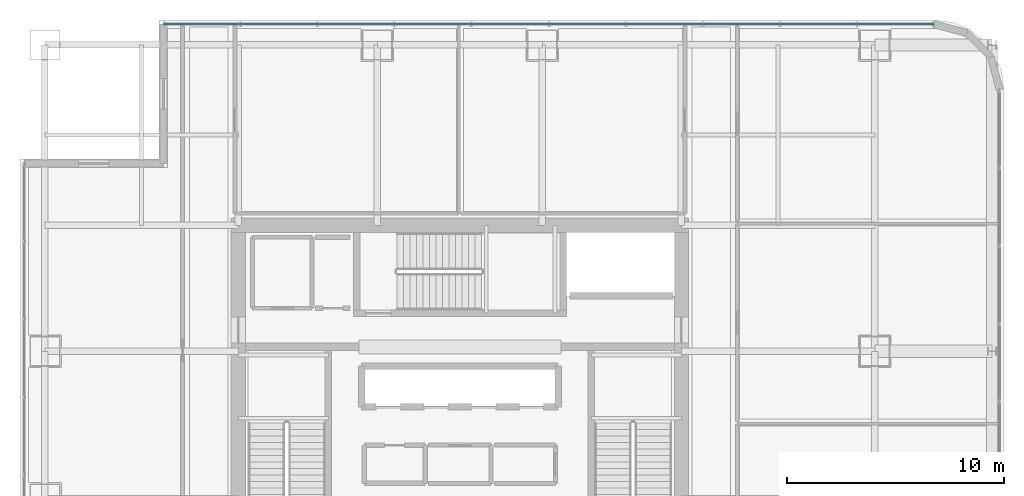
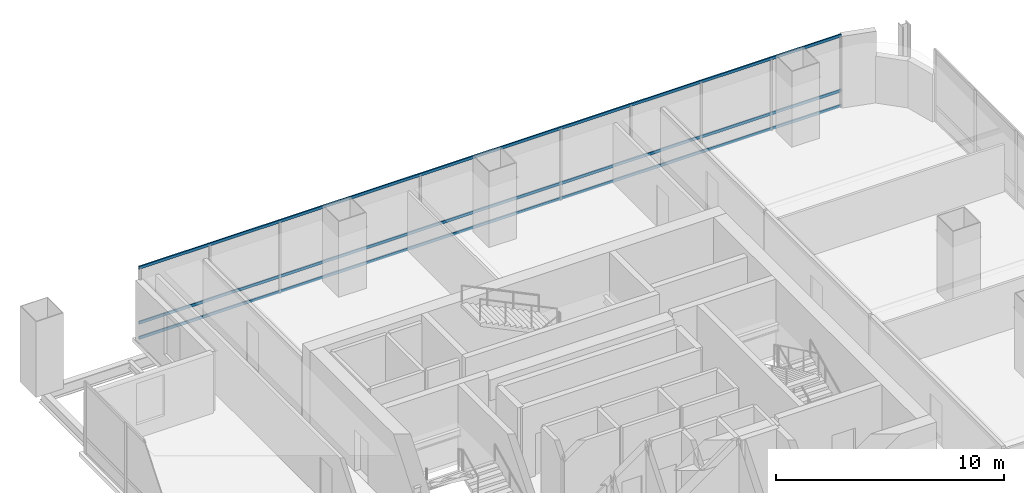
# One storey, part 24 of 36: 3 members, 1 element without a shape of its own.
"""IFC4 building model written with IfcOpenShell, lengths in metres."""

import ifcopenshell
import ifcopenshell.guid

model = None  # the IFC model being written
_history = None  # IfcOwnerHistory: only IFC2X3 demands one
_inside = {}  # id of a spatial element -> (the spatial element, [elements in it])
_under = {}  # id of a project, library or spatial element -> (it, [spatial elements below it])
_declared = {}  # id of a project -> (the project, [libraries it declares])
_typed = {}  # id of a type object -> (the type object, [elements of that type])
_made_of = {}  # id of a material, layer set ... -> (it, [elements and type objects made of it])


def new_model(schema):
    """Start an empty IFC model of exactly this schema.

    Asked for "IFC4X3", IfcOpenShell would pick the latest addendum, in which some entities
    have other attributes; the version numbers below select the first issue.
    IFC2X3 requires an IfcOwnerHistory on every rooted entity: one is made here for all.
    """
    global model, _history
    if schema == "IFC4X3":
        model = ifcopenshell.file(schema_version=(4, 3, 0, 0))
    else:
        model = ifcopenshell.file(schema=schema)
    _inside.clear()
    _under.clear()
    _declared.clear()
    _typed.clear()
    _made_of.clear()
    _history = None
    if model.schema == "IFC2X3":
        org = make("IfcOrganization", Name="unknown")
        user = make(
            "IfcPersonAndOrganization",
            ThePerson=make("IfcPerson", FamilyName="unknown"),
            TheOrganization=org,
        )
        app = make(
            "IfcApplication",
            ApplicationDeveloper=org,
            Version="unknown",
            ApplicationFullName="unknown",
            ApplicationIdentifier="unknown",
        )
        _history = make(
            "IfcOwnerHistory",
            OwningUser=user,
            OwningApplication=app,
            ChangeAction="ADDED",
            CreationDate=0,
        )
    return model


def make(cls, **values):
    """One entity of the class cls with the attributes given. An attribute that is None is left unset."""
    return model.create_entity(
        cls, **{name: value for name, value in values.items() if value is not None}
    )


def rooted(cls, **values):
    """An entity with a GlobalId (a new one), such as an element, a storey or a relation."""
    return make(cls, GlobalId=ifcopenshell.guid.new(), OwnerHistory=_history, **values)


def si_unit(unit_type, name, prefix=None):
    """IfcSIUnit, for example si_unit("LENGTHUNIT", "METRE", prefix="MILLI")."""
    return make("IfcSIUnit", UnitType=unit_type, Prefix=prefix, Name=name)


def assignment(units):
    """IfcUnitAssignment: the units of a project."""
    return None if units is None else make("IfcUnitAssignment", Units=units)


def point(xyz):
    """IfcCartesianPoint."""
    return None if xyz is None else make("IfcCartesianPoint", Coordinates=xyz)


def direction(xyz):
    """IfcDirection."""
    return None if xyz is None else make("IfcDirection", DirectionRatios=xyz)


def frame(location, z_axis=None, x_axis=None):
    """IfcAxis2Placement3D, a coordinate frame: its origin and axes. An axis left out is left unset."""
    return make(
        "IfcAxis2Placement3D",
        Location=point(location),
        Axis=direction(z_axis),
        RefDirection=direction(x_axis),
    )


def frame_2d(location, x_axis=None):
    """IfcAxis2Placement2D, a coordinate frame in the plane: its origin and x axis."""
    return make(
        "IfcAxis2Placement2D", Location=point(location), RefDirection=direction(x_axis)
    )


def origin():
    """The frame at (0, 0, 0) with its axes left unset."""
    return frame((0.0, 0.0, 0.0))


def origin_2d():
    """The frame at (0, 0) in the plane with its x axis left unset."""
    return frame_2d((0.0, 0.0))


def place(relative_to, where):
    """IfcLocalPlacement: puts the frame where relative to a parent placement (None: the world)."""
    return make(
        "IfcLocalPlacement", PlacementRelTo=relative_to, RelativePlacement=where
    )


def context(
    kind, dimensions, precision=None, world=None, true_north=None, identifier=None
):
    """IfcGeometricRepresentationContext, for example the 3D "Model" context."""
    return make(
        "IfcGeometricRepresentationContext",
        ContextIdentifier=identifier,
        ContextType=kind,
        CoordinateSpaceDimension=dimensions,
        Precision=precision,
        WorldCoordinateSystem=world,
        TrueNorth=true_north,
    )


def subcontext(parent, identifier, kind, view, scale=None):
    """IfcGeometricRepresentationSubContext, for example "Body" below "Model"."""
    return make(
        "IfcGeometricRepresentationSubContext",
        ContextIdentifier=identifier,
        ContextType=kind,
        ParentContext=parent,
        TargetScale=scale,
        TargetView=view,
    )


def project(units=None, contexts=None):
    """IfcProject with its units and contexts."""
    return rooted(
        "IfcProject",
        Name="project",
        RepresentationContexts=contexts,
        UnitsInContext=assignment(units),
    )


def spatial(cls, under=None, at=None, **own):
    """A site, building, storey or space (cls), placed at a placement, below another one or the project."""
    s = rooted(cls, ObjectPlacement=at, **own)
    if under is not None:
        _under.setdefault(under.id(), (under, []))[1].append(s)
    return s


def profile(cls, at=None, kind="AREA", **sizes):
    """A parametric profile (cls). Its sizes go by their IFC names, for example OverallWidth=200.0."""
    return make(cls, ProfileType=kind, Position=at, **sizes)


def hollow_rectangle(**sizes):
    """IfcRectangleHollowProfileDef."""
    return profile("IfcRectangleHollowProfileDef", **sizes)


def extrude(swept, where, along, depth):
    """IfcExtrudedAreaSolid: the profile swept, set in the frame where, extruded along a direction by depth."""
    return make(
        "IfcExtrudedAreaSolid",
        SweptArea=swept,
        Position=where,
        ExtrudedDirection=direction(along),
        Depth=depth,
    )


def shape(context_of_items, identifier, shape_type, items):
    """IfcShapeRepresentation: the items that make up one representation, for example the "Body"."""
    return make(
        "IfcShapeRepresentation",
        ContextOfItems=context_of_items,
        RepresentationIdentifier=identifier,
        RepresentationType=shape_type,
        Items=items,
    )


def material(Name=None, Category=None):
    """IfcMaterial."""
    return make("IfcMaterial", Name=Name, Category=Category)


def material_profile(
    of_material, cross_section, Name=None, Category=None, Priority=None
):
    """IfcMaterialProfile: a cross section and its material."""
    return make(
        "IfcMaterialProfile",
        Name=Name,
        Material=of_material,
        Profile=cross_section,
        Priority=Priority,
        Category=Category,
    )


def profile_set(profiles, Name=None, composite=None):
    """IfcMaterialProfileSet."""
    return make(
        "IfcMaterialProfileSet",
        Name=Name,
        MaterialProfiles=profiles,
        CompositeProfile=composite,
    )


def made_of(thing, what):
    """Note that an element or type object is made of a material, layer set ...; save() writes the relation."""
    if what is not None:
        _made_of.setdefault(what.id(), (what, []))[1].append(thing)
    return thing


def type_object(cls, material=None, **own):
    """A type object (cls), such as IfcWallType, which elements share."""
    return made_of(rooted(cls, **own), material)


def element(
    cls,
    number,
    at=None,
    inside=None,
    cuts=None,
    type_object=None,
    material=None,
    context=None,
    identifier="Body",
    shape_type=None,
    held_by="IfcProductDefinitionShape",
    body=None,
    shapes=None,
    **own,
):
    """One element of the class cls, such as IfcWall. Its Tag is "e" and its number.

    at: its placement. inside: the storey or other place that contains it. cuts: it is an
    opening in that element (IfcRelVoidsElement). A single representation is given by context,
    identifier, shape_type and body (its items); several are given by shapes. held_by: the class
    of the entity that holds the representations. save() writes the other relations.
    """
    e = rooted(cls, Tag="e%d" % number, ObjectPlacement=at, **own)
    if body is not None:
        shapes = [shape(context, identifier, shape_type, body)]
    if shapes is not None:
        e.Representation = make(held_by, Representations=shapes)
    if inside is not None:
        _inside.setdefault(inside.id(), (inside, []))[1].append(e)
    if cuts is not None:
        rooted(
            "IfcRelVoidsElement", RelatingBuildingElement=cuts, RelatedOpeningElement=e
        )
    if type_object is not None:
        _typed.setdefault(type_object.id(), (type_object, []))[1].append(e)
    return made_of(e, material)


def aggregate(whole, parts):
    """IfcRelAggregates: a whole, such as a stair, and the parts it consists of."""
    return rooted("IfcRelAggregates", RelatingObject=whole, RelatedObjects=parts)


def save(model, path):
    """Write the relations noted so far, then the file.

    IfcRelAggregates (storeys below a building ...), IfcRelContainedInSpatialStructure (elements
    in a storey), IfcRelDefinesByType, IfcRelAssociatesMaterial and IfcRelDeclares: one each for
    every whole, place, type object, material and project.
    """
    for whole, parts in _under.values():
        aggregate(whole, parts)
    for where, things in _inside.values():
        rooted(
            "IfcRelContainedInSpatialStructure",
            RelatedElements=things,
            RelatingStructure=where,
        )
    for kind, things in _typed.values():
        rooted("IfcRelDefinesByType", RelatedObjects=things, RelatingType=kind)
    for what, things in _made_of.values():
        rooted("IfcRelAssociatesMaterial", RelatedObjects=things, RelatingMaterial=what)
    for by, libraries in _declared.values():
        rooted("IfcRelDeclares", RelatingContext=by, RelatedDefinitions=libraries)
    model.write(path)


model = new_model("IFC4")

# Units and contexts
model_context = context("Model", 3, precision=1e-05, world=origin(), true_north=direction((0.0, 1.0)))
body_context = subcontext(model_context, "Body", "Model", "MODEL_VIEW")
ifc_project = project(units=[si_unit("LENGTHUNIT", "METRE"), si_unit("AREAUNIT", "SQUARE_METRE"), si_unit("VOLUMEUNIT", "CUBIC_METRE"), si_unit("PLANEANGLEUNIT", "RADIAN"), si_unit("MASSUNIT", "GRAM", prefix="KILO")], contexts=[model_context])

# Site, building, storey
site_placement = place(None, origin())
site = spatial("IfcSite", under=ifc_project, at=site_placement, CompositionType="ELEMENT")
building_placement = place(site_placement, origin())
building = spatial("IfcBuilding", under=site, at=building_placement, Name="Punatoya Terracotta Tower", CompositionType="ELEMENT")
storey_placement = place(building_placement, frame((0.0, 0.0, 228.89990234375)))
storey = spatial("IfcBuildingStorey", under=building, at=storey_placement, Name="L54", CompositionType="ELEMENT", Elevation=228.89990234375)

# Curtain wall, members
ifc_material_1 = material(Name="Aluminium 6063-T6 + Double Low-E Glass", Category="aluminium")
curtain_wall_type = type_object("IfcCurtainWallType", Name="CW-M2", PredefinedType="NOTDEFINED", material=ifc_material_1)
curtain_wall_placement = place(storey_placement, origin())
curtain_wall = element("IfcCurtainWall", 1, at=curtain_wall_placement, inside=storey, type_object=curtain_wall_type, Name="L54 Curtain Wall CW-L54-N08-1", PredefinedType="NOTDEFINED")
ifc_material_2 = material(Name="Aluminium 6063-T6", Category="aluminium")
ifc_material_profile = material_profile(ifc_material_2, hollow_rectangle(XDim=0.068115234375, YDim=0.14990234375, WallThickness=0.00390625, at=origin_2d()))
ifc_profile_set = profile_set([ifc_material_profile], Name="Aluminium 6063-T6")
member_type = type_object("IfcMemberType", Name="CW-TRN-TYP", PredefinedType="USERDEFINED", material=ifc_profile_set)
member_1_placement = place(storey_placement, frame((21.8369140625, 18.449951171875, 0.0400390625), z_axis=(-1.0, 0.0, 0.0), x_axis=(0.0, -1.0, 0.0)))
member_1 = element("IfcMember", 2, at=member_1_placement, type_object=member_type, Name="CW-L54-N08-1 Transom 1", ObjectType="TRANSOM", PredefinedType="USERDEFINED", context=body_context, shape_type="SweptSolid", body=[
    extrude(hollow_rectangle(XDim=0.068115234375, YDim=0.14990234375, WallThickness=0.00390625, at=origin_2d()), origin(), (0.0, 0.0, 1.0), 35.48681640625),
])
member_2_placement = place(storey_placement, frame((21.8369140625, 18.449951171875, 0.85009765625), z_axis=(-1.0, 0.0, 0.0), x_axis=(0.0, -1.0, 0.0)))
member_2 = element("IfcMember", 3, at=member_2_placement, type_object=member_type, Name="CW-L54-N08-1 Transom 2", ObjectType="TRANSOM", PredefinedType="USERDEFINED", context=body_context, shape_type="SweptSolid", body=[
    extrude(hollow_rectangle(XDim=0.068115234375, YDim=0.14990234375, WallThickness=0.00390625, at=origin_2d()), origin(), (0.0, 0.0, 1.0), 35.48681640625),
])
member_3_placement = place(storey_placement, frame((21.8369140625, 18.449951171875, 3.7900390625), z_axis=(-1.0, 0.0, 0.0), x_axis=(0.0, -1.0, 0.0)))
member_3 = element("IfcMember", 4, at=member_3_placement, type_object=member_type, Name="CW-L54-N08-1 Transom 3", ObjectType="TRANSOM", PredefinedType="USERDEFINED", context=body_context, shape_type="SweptSolid", body=[
    extrude(hollow_rectangle(XDim=0.068115234375, YDim=0.14990234375, WallThickness=0.00390625, at=origin_2d()), origin(), (0.0, 0.0, 1.0), 35.48681640625),
])
aggregate(curtain_wall, [member_1, member_2, member_3])

save(model, "model.ifc")
